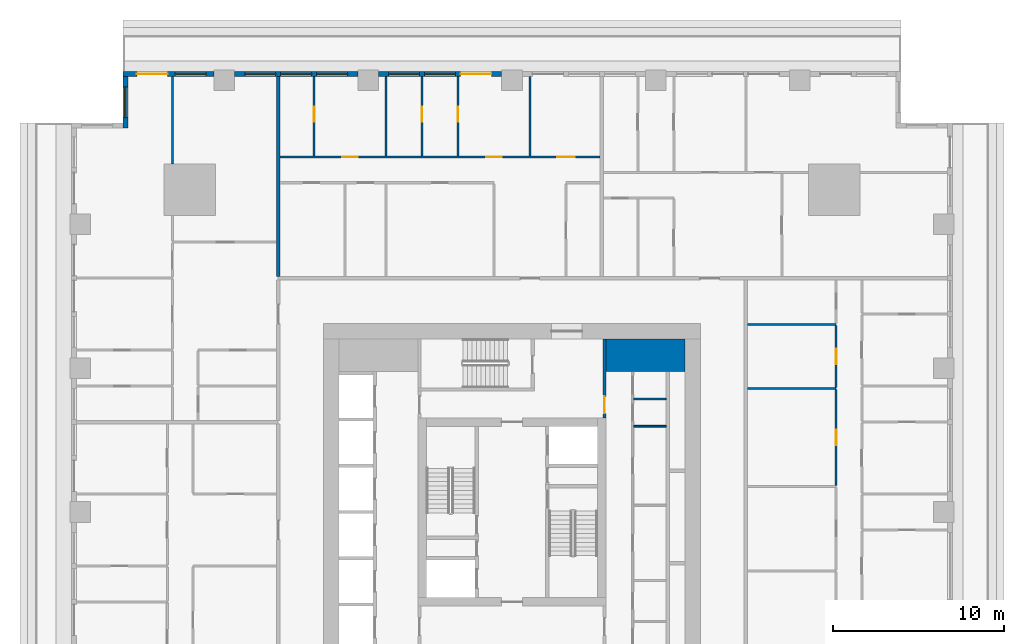
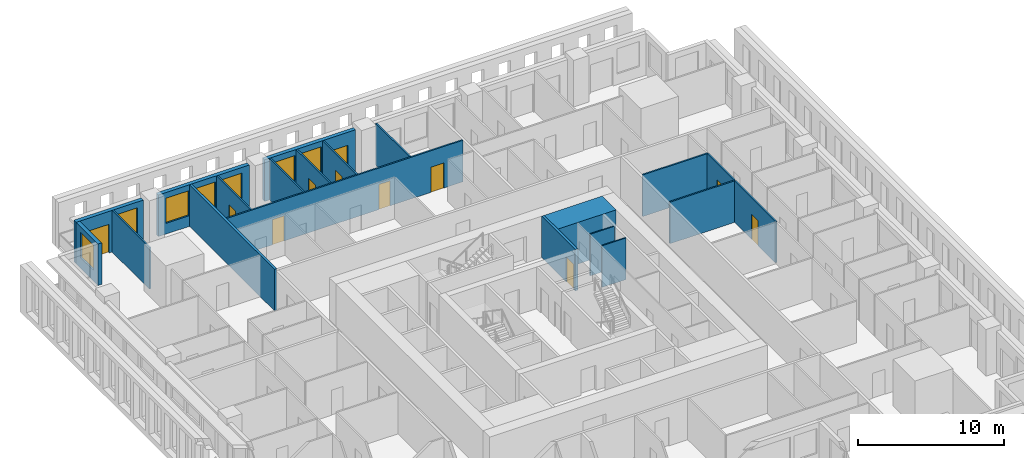
# One storey, part 8 of 15: 20 walls, 11 doors, 7 windows, 18 openings.
"""IFC4 building model written with IfcOpenShell, lengths in metres."""

from ifc_helpers import new_model, si_unit, direction, frame, frame_2d, origin, place, context, subcontext, project, spatial, rectangle, extrude, material, layer, layer_set, type_object, element, fill, save


model = new_model("IFC4")

# Units and contexts
model_context = context("Model", 3, precision=1e-05, world=origin(), true_north=direction((0.0, 1.0)))
body_context = subcontext(model_context, "Body", "Model", "MODEL_VIEW")
ifc_project = project(units=[si_unit("LENGTHUNIT", "METRE"), si_unit("AREAUNIT", "SQUARE_METRE"), si_unit("VOLUMEUNIT", "CUBIC_METRE"), si_unit("PLANEANGLEUNIT", "RADIAN"), si_unit("MASSUNIT", "GRAM", prefix="KILO")], contexts=[model_context])

# Site, building, storey
site_placement = place(None, origin())
site = spatial("IfcSite", under=ifc_project, at=site_placement, CompositionType="ELEMENT")
building_placement = place(site_placement, origin())
building = spatial("IfcBuilding", under=site, at=building_placement, Name="Khepri Terraces", CompositionType="ELEMENT")
storey_placement = place(building_placement, frame((0.0, 0.0, 54.300048828125)))
storey = spatial("IfcBuildingStorey", under=building, at=storey_placement, Name="L12", CompositionType="ELEMENT", Elevation=54.300048828125)

# Walls
ifc_material_1 = material(Name="Concrete C80/95", Category="concrete")
ifc_layer_1 = layer(ifc_material_1, 1.89990234375, Name="Concrete C80/95", Category="concrete")
ifc_layer_set_1 = layer_set([ifc_layer_1], Name="Concrete C80/95")
wall_type_1 = type_object("IfcWallType", Name="Core wall 1900 C80/95", PredefinedType="SHEAR", material=ifc_layer_set_1)
wall_1_placement = place(storey_placement, frame((5.5, 9.14990234375, 0.0), z_axis=(0.0, 0.0, 1.0), x_axis=(1.0, 0.0, 0.0)))
element("IfcWall", 1, at=wall_1_placement, inside=storey, type_object=wall_type_1, Name="Core wall PR04 L12", PredefinedType="SHEAR", context=body_context, shape_type="SweptSolid", body=[
    extrude(rectangle(XDim=4.60009765625, YDim=1.89990234375, at=frame_2d((2.300048828125, 0.0))), origin(), (0.0, 0.0, 1.0), 3.47998046875),
])
ifc_material_2 = material(Name="Fire-rated gypsum board partition")
ifc_layer_2 = layer(ifc_material_2, 0.10009765625, Name="Fire-rated gypsum board partition")
ifc_layer_set_2 = layer_set([ifc_layer_2], Name="Fire-rated gypsum board partition")
wall_type_2 = type_object("IfcWallType", Name="WL-CORE-PART-100", PredefinedType="PARTITIONING", material=ifc_layer_set_2)
for number, where, z_axis, x_axis, name in (
    (2, (7.10009765625, 5.0, 0.0), (0.0, 0.0, 1.0), (1.0, 0.0, 0.0), "Core partition PT07 L12"),
    (3, (7.10009765625, 6.60009765625, 0.0), (0.0, 0.0, 1.0), (1.0, 0.0, 0.0), "Core partition PT10 L12"),
):
    element("IfcWall", number, at=place(storey_placement, frame(where, z_axis=z_axis, x_axis=x_axis)), inside=storey, type_object=wall_type_2, Name=name, PredefinedType="PARTITIONING", context=body_context, shape_type="SweptSolid", body=[
        extrude(rectangle(XDim=1.89990234375, YDim=0.10009765625, at=frame_2d((0.949951171875, 0.0))), origin(), (0.0, 0.0, 1.0), 3.47998046875),
    ])

# Wall, opening, door
ifc_layer_3 = layer(ifc_material_2, 0.199951171875, Name="Fire-rated gypsum board partition")
ifc_layer_set_3 = layer_set([ifc_layer_3], Name="Fire-rated gypsum board partition")
wall_type_3 = type_object("IfcWallType", Name="WL-CORE-PART-200", PredefinedType="PARTITIONING", material=ifc_layer_set_3)
wall_2_placement = place(storey_placement, frame((5.39990234375, 5.5, 0.0), z_axis=(0.0, 0.0, 1.0), x_axis=(0.0, 1.0, 0.0)))
wall_2 = element("IfcWall", 4, at=wall_2_placement, inside=storey, type_object=wall_type_3, Name="Core partition PT09 L12", PredefinedType="PARTITIONING", context=body_context, shape_type="SweptSolid", body=[
    extrude(rectangle(XDim=4.60009765625, YDim=0.199951171875, at=frame_2d((2.300048828125, 0.0))), origin(), (0.0, 0.0, 1.0), 3.47998046875),
])
opening_1_placement = place(wall_2_placement, frame((0.25, 0.0, 0.0)))
opening_1 = element("IfcOpeningElement", 5, at=opening_1_placement, cuts=wall_2, Name="Opening L12-C17", PredefinedType="OPENING", context=body_context, shape_type="SweptSolid", body=[
    extrude(rectangle(XDim=1.0, YDim=2.10009765625, at=frame_2d((0.5, 1.050048828125))), frame((0.0, 0.10986328125, 0.0), z_axis=(0.0, -1.0, 0.0), x_axis=(1.0, 0.0, 0.0)), (0.0, 0.0, 1.0), 0.219970703125),
])
ifc_material_3 = material(Name="Painted steel", Category="steel")
door_type_1 = type_object("IfcDoorType", Name="DR-CORE-LOBBY-1000", OperationType="NOTDEFINED", PredefinedType="DOOR", material=ifc_material_3)
door_1_placement = place(opening_1_placement, origin())
door_1 = element("IfcDoor", 6, at=door_1_placement, inside=storey, type_object=door_type_1, Name="Lobby door L12-C17", OperationType="SINGLE_SWING_LEFT", OverallHeight=2.10009765625, OverallWidth=1.0, PredefinedType="DOOR", context=body_context, shape_type="SweptSolid", body=[
    extrude(rectangle(XDim=1.0, YDim=2.10009765625, at=frame_2d((0.5, 1.050048828125))), frame((0.0, 0.02490234375, 0.0), z_axis=(0.0, -1.0, 0.0), x_axis=(1.0, 0.0, 0.0)), (0.0, 0.0, 1.0), 0.050048828125),
])
fill(opening_1, door_1)

# Wall
ifc_material_4 = material(Name="Fire-rated gypsum plasterboard partition, mineral wool")
ifc_layer_4 = layer(ifc_material_4, 0.199951171875, Name="Fire-rated gypsum plasterboard partition, mineral wool")
ifc_layer_set_4 = layer_set([ifc_layer_4], Name="Fire-rated gypsum plasterboard partition, mineral wool")
wall_type_4 = type_object("IfcWallType", Name="WL-CORR-200", PredefinedType="PARTITIONING", material=ifc_layer_set_4)
wall_3_placement = place(storey_placement, frame((-13.64990234375, 13.75, 0.0), z_axis=(0.0, 0.0, 1.0), x_axis=(0.0, 1.0, 0.0)))
element("IfcWall", 7, at=wall_3_placement, inside=storey, type_object=wall_type_4, Name="Partition P-084 L12", PredefinedType="PARTITIONING", context=body_context, shape_type="SweptSolid", body=[
    extrude(rectangle(XDim=11.669921875, YDim=0.199951171875, at=frame_2d((5.8349609375, 0.0))), origin(), (0.0, 0.0, 1.0), 3.47998046875),
])

# Wall, openings, door, windows
ifc_material_5 = material(Name="Precast concrete C50/60 warm stone", Category="masonry")
ifc_layer_5 = layer(ifc_material_5, 0.300048828125, Name="Precast concrete C50/60 warm stone", Category="masonry")
ifc_layer_set_5 = layer_set([ifc_layer_5], Name="Precast concrete C50/60 warm stone")
wall_type_5 = type_object("IfcWallType", Name="WL-EXT-PRECAST-300", PredefinedType="STANDARD", material=ifc_layer_set_5)
wall_4_placement = place(storey_placement, frame((-0.60009765625, 25.570068359375, 0.0), z_axis=(0.0, 0.0, 1.0), x_axis=(-1.0, 0.0, 0.0)))
wall_4 = element("IfcWall", 8, at=wall_4_placement, inside=storey, type_object=wall_type_5, Name="External wall L12 N", PredefinedType="STANDARD", context=body_context, shape_type="SweptSolid", body=[
    extrude(rectangle(XDim=7.199951171875, YDim=0.300048828125, at=frame_2d((3.60009765625, 0.0))), origin(), (0.0, 0.0, 1.0), 3.47998046875),
])
opening_2_placement = place(wall_4_placement, frame((0.60009765625, 0.0, 0.0)))
opening_2 = element("IfcOpeningElement", 9, at=opening_2_placement, cuts=wall_4, Name="Opening ED-L12-09", PredefinedType="OPENING", context=body_context, shape_type="SweptSolid", body=[
    extrude(rectangle(XDim=1.800048828125, YDim=2.39990234375, at=frame_2d((0.89990234375, 1.199951171875))), frame((0.0, 0.16015625, 0.0), z_axis=(0.0, -1.0, 0.0), x_axis=(1.0, 0.0, 0.0)), (0.0, 0.0, 1.0), 0.320068359375),
])
opening_3_placement = place(wall_4_placement, frame((2.699951171875, 0.0, 0.89990234375)))
opening_3 = element("IfcOpeningElement", 10, at=opening_3_placement, cuts=wall_4, Name="Opening W1", PredefinedType="OPENING", context=body_context, shape_type="SweptSolid", body=[
    extrude(rectangle(XDim=1.800048828125, YDim=2.10009765625, at=frame_2d((0.89990234375, 1.050048828125))), frame((0.0, 0.16015625, 0.0), z_axis=(0.0, -1.0, 0.0), x_axis=(1.0, 0.0, 0.0)), (0.0, 0.0, 1.0), 0.320068359375),
])
opening_4_placement = place(wall_4_placement, frame((4.800048828125, 0.0, 0.89990234375)))
opening_4 = element("IfcOpeningElement", 11, at=opening_4_placement, cuts=wall_4, Name="Opening W1", PredefinedType="OPENING", context=body_context, shape_type="SweptSolid", body=[
    extrude(rectangle(XDim=1.800048828125, YDim=2.10009765625, at=frame_2d((0.89990234375, 1.050048828125))), frame((0.0, 0.16015625, 0.0), z_axis=(0.0, -1.0, 0.0), x_axis=(1.0, 0.0, 0.0)), (0.0, 0.0, 1.0), 0.320068359375),
])
ifc_material_6 = material(Name="Anodised aluminium bronze glazed door", Category="aluminium")
door_type_2 = type_object("IfcDoorType", Name="DR-BAL-SLIDE-1800x2400", OperationType="NOTDEFINED", PredefinedType="DOOR", material=ifc_material_6)
door_2_placement = place(opening_2_placement, origin())
door_2 = element("IfcDoor", 12, at=door_2_placement, inside=storey, type_object=door_type_2, Name="Balcony door L12 N", OperationType="SLIDING_TO_LEFT", OverallHeight=2.39990234375, OverallWidth=1.800048828125, PredefinedType="DOOR", context=body_context, shape_type="SweptSolid", body=[
    extrude(rectangle(XDim=1.800048828125, YDim=2.39990234375, at=frame_2d((0.89990234375, 1.199951171875))), frame((0.0, 0.02490234375, 0.0), z_axis=(0.0, -1.0, 0.0), x_axis=(1.0, 0.0, 0.0)), (0.0, 0.0, 1.0), 0.050048828125),
])
fill(opening_2, door_2)
ifc_material_7 = material(Name="Clear glass", Category="glass")
window_type = type_object("IfcWindowType", Name="WIN-RES-1800x2100", PartitioningType="SINGLE_PANEL", PredefinedType="WINDOW", material=ifc_material_7)
window_1_placement = place(opening_3_placement, origin())
window_1 = element("IfcWindow", 13, at=window_1_placement, inside=storey, type_object=window_type, Name="Window L12 N", OverallHeight=2.10009765625, OverallWidth=1.800048828125, PartitioningType="SINGLE_PANEL", PredefinedType="WINDOW", context=body_context, shape_type="SweptSolid", body=[
    extrude(rectangle(XDim=1.800048828125, YDim=2.10009765625, at=frame_2d((0.89990234375, 1.050048828125))), frame((0.0, 0.030029296875, 0.0), z_axis=(0.0, -1.0, 0.0), x_axis=(1.0, 0.0, 0.0)), (0.0, 0.0, 1.0), 0.06005859375),
])
fill(opening_3, window_1)
window_2_placement = place(opening_4_placement, origin())
window_2 = element("IfcWindow", 14, at=window_2_placement, inside=storey, type_object=window_type, Name="Window L12 N", OverallHeight=2.10009765625, OverallWidth=1.800048828125, PartitioningType="SINGLE_PANEL", PredefinedType="WINDOW", context=body_context, shape_type="SweptSolid", body=[
    extrude(rectangle(XDim=1.800048828125, YDim=2.10009765625, at=frame_2d((0.89990234375, 1.050048828125))), frame((0.0, 0.030029296875, 0.0), z_axis=(0.0, -1.0, 0.0), x_axis=(1.0, 0.0, 0.0)), (0.0, 0.0, 1.0), 0.06005859375),
])
fill(opening_4, window_2)

# Wall, openings, windows
wall_5_placement = place(storey_placement, frame((-9.0, 25.570068359375, 0.0), z_axis=(0.0, 0.0, 1.0), x_axis=(-1.0, 0.0, 0.0)))
wall_5 = element("IfcWall", 15, at=wall_5_placement, inside=storey, type_object=wall_type_5, Name="External wall L12 N", PredefinedType="STANDARD", context=body_context, shape_type="SweptSolid", body=[
    extrude(rectangle(XDim=7.199951171875, YDim=0.300048828125, at=frame_2d((3.60009765625, 0.0))), origin(), (0.0, 0.0, 1.0), 3.47998046875),
])
opening_5_placement = place(wall_5_placement, frame((0.60009765625, 0.0, 0.89990234375)))
opening_5 = element("IfcOpeningElement", 16, at=opening_5_placement, cuts=wall_5, Name="Opening W1", PredefinedType="OPENING", context=body_context, shape_type="SweptSolid", body=[
    extrude(rectangle(XDim=1.800048828125, YDim=2.10009765625, at=frame_2d((0.89990234375, 1.050048828125))), frame((0.0, 0.16015625, 0.0), z_axis=(0.0, -1.0, 0.0), x_axis=(1.0, 0.0, 0.0)), (0.0, 0.0, 1.0), 0.320068359375),
])
opening_6_placement = place(wall_5_placement, frame((2.699951171875, 0.0, 0.89990234375)))
opening_6 = element("IfcOpeningElement", 17, at=opening_6_placement, cuts=wall_5, Name="Opening W1", PredefinedType="OPENING", context=body_context, shape_type="SweptSolid", body=[
    extrude(rectangle(XDim=1.800048828125, YDim=2.10009765625, at=frame_2d((0.89990234375, 1.050048828125))), frame((0.0, 0.16015625, 0.0), z_axis=(0.0, -1.0, 0.0), x_axis=(1.0, 0.0, 0.0)), (0.0, 0.0, 1.0), 0.320068359375),
])
opening_7_placement = place(wall_5_placement, frame((4.800048828125, 0.0, 0.89990234375)))
opening_7 = element("IfcOpeningElement", 18, at=opening_7_placement, cuts=wall_5, Name="Opening W1", PredefinedType="OPENING", context=body_context, shape_type="SweptSolid", body=[
    extrude(rectangle(XDim=1.800048828125, YDim=2.10009765625, at=frame_2d((0.89990234375, 1.050048828125))), frame((0.0, 0.16015625, 0.0), z_axis=(0.0, -1.0, 0.0), x_axis=(1.0, 0.0, 0.0)), (0.0, 0.0, 1.0), 0.320068359375),
])
window_3_placement = place(opening_5_placement, origin())
window_3 = element("IfcWindow", 19, at=window_3_placement, inside=storey, type_object=window_type, Name="Window L12 N", OverallHeight=2.10009765625, OverallWidth=1.800048828125, PartitioningType="SINGLE_PANEL", PredefinedType="WINDOW", context=body_context, shape_type="SweptSolid", body=[
    extrude(rectangle(XDim=1.800048828125, YDim=2.10009765625, at=frame_2d((0.89990234375, 1.050048828125))), frame((0.0, 0.030029296875, 0.0), z_axis=(0.0, -1.0, 0.0), x_axis=(1.0, 0.0, 0.0)), (0.0, 0.0, 1.0), 0.06005859375),
])
fill(opening_5, window_3)
window_4_placement = place(opening_6_placement, origin())
window_4 = element("IfcWindow", 20, at=window_4_placement, inside=storey, type_object=window_type, Name="Window L12 N", OverallHeight=2.10009765625, OverallWidth=1.800048828125, PartitioningType="SINGLE_PANEL", PredefinedType="WINDOW", context=body_context, shape_type="SweptSolid", body=[
    extrude(rectangle(XDim=1.800048828125, YDim=2.10009765625, at=frame_2d((0.89990234375, 1.050048828125))), frame((0.0, 0.030029296875, 0.0), z_axis=(0.0, -1.0, 0.0), x_axis=(1.0, 0.0, 0.0)), (0.0, 0.0, 1.0), 0.06005859375),
])
fill(opening_6, window_4)
window_5_placement = place(opening_7_placement, origin())
window_5 = element("IfcWindow", 21, at=window_5_placement, inside=storey, type_object=window_type, Name="Window L12 N", OverallHeight=2.10009765625, OverallWidth=1.800048828125, PartitioningType="SINGLE_PANEL", PredefinedType="WINDOW", context=body_context, shape_type="SweptSolid", body=[
    extrude(rectangle(XDim=1.800048828125, YDim=2.10009765625, at=frame_2d((0.89990234375, 1.050048828125))), frame((0.0, 0.030029296875, 0.0), z_axis=(0.0, -1.0, 0.0), x_axis=(1.0, 0.0, 0.0)), (0.0, 0.0, 1.0), 0.06005859375),
])
fill(opening_7, window_5)

# Wall, openings, door, window
wall_6_placement = place(storey_placement, frame((-17.39990234375, 25.570068359375, 0.0), z_axis=(0.0, 0.0, 1.0), x_axis=(-1.0, 0.0, 0.0)))
wall_6 = element("IfcWall", 22, at=wall_6_placement, inside=storey, type_object=wall_type_5, Name="External wall L12 N", PredefinedType="STANDARD", context=body_context, shape_type="SweptSolid", body=[
    extrude(rectangle(XDim=5.320068359375, YDim=0.300048828125, at=frame_2d((2.66015625, 0.0))), origin(), (0.0, 0.0, 1.0), 3.47998046875),
])
opening_8_placement = place(wall_6_placement, frame((2.699951171875, 0.0, 0.0)))
opening_8 = element("IfcOpeningElement", 23, at=opening_8_placement, cuts=wall_6, Name="Opening ED-L12-10", PredefinedType="OPENING", context=body_context, shape_type="SweptSolid", body=[
    extrude(rectangle(XDim=1.800048828125, YDim=2.39990234375, at=frame_2d((0.89990234375, 1.199951171875))), frame((0.0, 0.16015625, 0.0), z_axis=(0.0, -1.0, 0.0), x_axis=(1.0, 0.0, 0.0)), (0.0, 0.0, 1.0), 0.320068359375),
])
opening_9_placement = place(wall_6_placement, frame((0.4599609375, 0.0, 0.89990234375)))
opening_9 = element("IfcOpeningElement", 24, at=opening_9_placement, cuts=wall_6, Name="Opening W1", PredefinedType="OPENING", context=body_context, shape_type="SweptSolid", body=[
    extrude(rectangle(XDim=1.800048828125, YDim=2.10009765625, at=frame_2d((0.89990234375, 1.050048828125))), frame((0.0, 0.16015625, 0.0), z_axis=(0.0, -1.0, 0.0), x_axis=(1.0, 0.0, 0.0)), (0.0, 0.0, 1.0), 0.320068359375),
])
door_3_placement = place(opening_8_placement, origin())
door_3 = element("IfcDoor", 25, at=door_3_placement, inside=storey, type_object=door_type_2, Name="Balcony door L12 N", OperationType="SLIDING_TO_LEFT", OverallHeight=2.39990234375, OverallWidth=1.800048828125, PredefinedType="DOOR", context=body_context, shape_type="SweptSolid", body=[
    extrude(rectangle(XDim=1.800048828125, YDim=2.39990234375, at=frame_2d((0.89990234375, 1.199951171875))), frame((0.0, 0.02490234375, 0.0), z_axis=(0.0, -1.0, 0.0), x_axis=(1.0, 0.0, 0.0)), (0.0, 0.0, 1.0), 0.050048828125),
])
fill(opening_8, door_3)
window_6_placement = place(opening_9_placement, origin())
window_6 = element("IfcWindow", 26, at=window_6_placement, inside=storey, type_object=window_type, Name="Window L12 N", OverallHeight=2.10009765625, OverallWidth=1.800048828125, PartitioningType="SINGLE_PANEL", PredefinedType="WINDOW", context=body_context, shape_type="SweptSolid", body=[
    extrude(rectangle(XDim=1.800048828125, YDim=2.10009765625, at=frame_2d((0.89990234375, 1.050048828125))), frame((0.0, 0.030029296875, 0.0), z_axis=(0.0, -1.0, 0.0), x_axis=(1.0, 0.0, 0.0)), (0.0, 0.0, 1.0), 0.06005859375),
])
fill(opening_9, window_6)

# Wall, opening, window
wall_7_placement = place(storey_placement, frame((-22.570068359375, 25.419921875, 0.0), z_axis=(0.0, 0.0, 1.0), x_axis=(0.0, -1.0, 0.0)))
wall_7 = element("IfcWall", 27, at=wall_7_placement, inside=storey, type_object=wall_type_5, Name="External wall L12 W", PredefinedType="STANDARD", context=body_context, shape_type="SweptSolid", body=[
    extrude(rectangle(XDim=3.0, YDim=0.300048828125, at=frame_2d((1.5, 0.0))), origin(), (0.0, 0.0, 1.0), 3.47998046875),
])
opening_10_placement = place(wall_7_placement, frame((0.60009765625, 0.0, 0.89990234375)))
opening_10 = element("IfcOpeningElement", 28, at=opening_10_placement, cuts=wall_7, Name="Opening W1", PredefinedType="OPENING", context=body_context, shape_type="SweptSolid", body=[
    extrude(rectangle(XDim=1.800048828125, YDim=2.10009765625, at=frame_2d((0.89990234375, 1.050048828125))), frame((0.0, 0.16015625, 0.0), z_axis=(0.0, -1.0, 0.0), x_axis=(1.0, 0.0, 0.0)), (0.0, 0.0, 1.0), 0.320068359375),
])
window_7_placement = place(opening_10_placement, origin())
window_7 = element("IfcWindow", 29, at=window_7_placement, inside=storey, type_object=window_type, Name="Window L12 W", OverallHeight=2.10009765625, OverallWidth=1.800048828125, PartitioningType="SINGLE_PANEL", PredefinedType="WINDOW", context=body_context, shape_type="SweptSolid", body=[
    extrude(rectangle(XDim=1.800048828125, YDim=2.10009765625, at=frame_2d((0.89990234375, 1.050048828125))), frame((0.0, 0.030029296875, 0.0), z_axis=(0.0, -1.0, 0.0), x_axis=(1.0, 0.0, 0.0)), (0.0, 0.0, 1.0), 0.06005859375),
])
fill(opening_10, window_7)

# Wall, opening, door
ifc_material_8 = material(Name="Gypsum plasterboard partition")
ifc_layer_6 = layer(ifc_material_8, 0.1201171875, Name="Gypsum plasterboard partition")
ifc_layer_set_6 = layer_set([ifc_layer_6], Name="Gypsum plasterboard partition")
wall_type_6 = type_object("IfcWallType", Name="WL-PART-120", PredefinedType="PARTITIONING", material=ifc_layer_set_6)
wall_8_placement = place(storey_placement, frame((18.919921875, 1.56005859375, 0.0), z_axis=(0.0, 0.0, 1.0), x_axis=(0.0, 1.0, 0.0)))
wall_8 = element("IfcWall", 30, at=wall_8_placement, inside=storey, type_object=wall_type_6, Name="Partition P-059 L12", PredefinedType="PARTITIONING", context=body_context, shape_type="SweptSolid", body=[
    extrude(rectangle(XDim=5.579833984375, YDim=0.1201171875, at=frame_2d((2.7900390625, 0.0))), origin(), (0.0, 0.0, 1.0), 3.47998046875),
])
opening_11_placement = place(wall_8_placement, frame((2.340087890625, 0.0, 0.0)))
opening_11 = element("IfcOpeningElement", 31, at=opening_11_placement, cuts=wall_8, Name="Opening D3", PredefinedType="OPENING", context=body_context, shape_type="SweptSolid", body=[
    extrude(rectangle(XDim=0.89990234375, YDim=2.10009765625, at=frame_2d((0.449951171875, 1.050048828125))), frame((0.0, 0.070068359375, 0.0), z_axis=(0.0, -1.0, 0.0), x_axis=(1.0, 0.0, 0.0)), (0.0, 0.0, 1.0), 0.14013671875),
])
ifc_material_9 = material(Name="Timber door leaf", Category="wood")
door_type_3 = type_object("IfcDoorType", Name="DR-INT-900", OperationType="NOTDEFINED", PredefinedType="DOOR", material=ifc_material_9)
door_4_placement = place(opening_11_placement, origin())
door_4 = element("IfcDoor", 32, at=door_4_placement, inside=storey, type_object=door_type_3, Name="Door Staff Bedroom", OperationType="SINGLE_SWING_LEFT", OverallHeight=2.10009765625, OverallWidth=0.89990234375, PredefinedType="DOOR", context=body_context, shape_type="SweptSolid", body=[
    extrude(rectangle(XDim=0.89990234375, YDim=2.10009765625, at=frame_2d((0.449951171875, 1.050048828125))), frame((0.0, 0.02490234375, 0.0), z_axis=(0.0, -1.0, 0.0), x_axis=(1.0, 0.0, 0.0)), (0.0, 0.0, 1.0), 0.050048828125),
])
fill(opening_11, door_4)

# Wall
wall_9_placement = place(storey_placement, frame((13.75, 7.199951171875, 0.0), z_axis=(0.0, 0.0, 1.0), x_axis=(1.0, 0.0, 0.0)))
element("IfcWall", 33, at=wall_9_placement, inside=storey, type_object=wall_type_6, Name="Partition P-066 L12", PredefinedType="PARTITIONING", context=body_context, shape_type="SweptSolid", body=[
    extrude(rectangle(XDim=5.169921875, YDim=0.1201171875, at=frame_2d((2.5849609375, 0.0))), origin(), (0.0, 0.0, 1.0), 3.47998046875),
])

# Wall, opening, door
wall_10_placement = place(storey_placement, frame((18.919921875, 7.260009765625, 0.0), z_axis=(0.0, 0.0, 1.0), x_axis=(0.0, 1.0, 0.0)))
wall_10 = element("IfcWall", 34, at=wall_10_placement, inside=storey, type_object=wall_type_6, Name="Partition P-067 L12", PredefinedType="PARTITIONING", context=body_context, shape_type="SweptSolid", body=[
    extrude(rectangle(XDim=3.6298828125, YDim=0.1201171875, at=frame_2d((1.81494140625, 0.0))), origin(), (0.0, 0.0, 1.0), 3.47998046875),
])
opening_12_placement = place(wall_10_placement, frame((1.364990234375, 0.0, 0.0)))
opening_12 = element("IfcOpeningElement", 35, at=opening_12_placement, cuts=wall_10, Name="Opening D4", PredefinedType="OPENING", context=body_context, shape_type="SweptSolid", body=[
    extrude(rectangle(XDim=0.89990234375, YDim=2.10009765625, at=frame_2d((0.449951171875, 1.050048828125))), frame((0.0, 0.070068359375, 0.0), z_axis=(0.0, -1.0, 0.0), x_axis=(1.0, 0.0, 0.0)), (0.0, 0.0, 1.0), 0.14013671875),
])
ifc_material_10 = material(Name="Timber door leaf, moisture resistant", Category="wood")
door_type_4 = type_object("IfcDoorType", Name="DR-WET-900", OperationType="NOTDEFINED", PredefinedType="DOOR", material=ifc_material_10)
door_5_placement = place(opening_12_placement, origin())
door_5 = element("IfcDoor", 36, at=door_5_placement, inside=storey, type_object=door_type_4, Name="Door Guest Bathroom", OperationType="SINGLE_SWING_LEFT", OverallHeight=2.10009765625, OverallWidth=0.89990234375, PredefinedType="DOOR", context=body_context, shape_type="SweptSolid", body=[
    extrude(rectangle(XDim=0.89990234375, YDim=2.10009765625, at=frame_2d((0.449951171875, 1.050048828125))), frame((0.0, 0.02490234375, 0.0), z_axis=(0.0, -1.0, 0.0), x_axis=(1.0, 0.0, 0.0)), (0.0, 0.0, 1.0), 0.050048828125),
])
fill(opening_12, door_5)

# Walls
wall_11_placement = place(storey_placement, frame((13.75, 10.949951171875, 0.0), z_axis=(0.0, 0.0, 1.0), x_axis=(1.0, 0.0, 0.0)))
element("IfcWall", 37, at=wall_11_placement, inside=storey, type_object=wall_type_6, Name="Partition P-077 L12", PredefinedType="PARTITIONING", context=body_context, shape_type="SweptSolid", body=[
    extrude(rectangle(XDim=5.169921875, YDim=0.1201171875, at=frame_2d((2.5849609375, 0.0))), origin(), (0.0, 0.0, 1.0), 3.47998046875),
])
wall_12_placement = place(storey_placement, frame((-19.820068359375, 20.300048828125, 0.0), z_axis=(0.0, 0.0, 1.0), x_axis=(0.0, 1.0, 0.0)))
element("IfcWall", 38, at=wall_12_placement, inside=storey, type_object=wall_type_6, Name="Partition P-103 L12", PredefinedType="PARTITIONING", context=body_context, shape_type="SweptSolid", body=[
    extrude(rectangle(XDim=5.119873046875, YDim=0.1201171875, at=frame_2d((2.56005859375, 0.0))), origin(), (0.0, 0.0, 1.0), 3.47998046875),
])

# Wall, openings, doors
wall_13_placement = place(storey_placement, frame((-13.550048828125, 20.719970703125, 0.0), z_axis=(0.0, 0.0, 1.0), x_axis=(1.0, 0.0, 0.0)))
wall_13 = element("IfcWall", 39, at=wall_13_placement, inside=storey, type_object=wall_type_6, Name="Partition P-104 L12", PredefinedType="PARTITIONING", context=body_context, shape_type="SweptSolid", body=[
    extrude(rectangle(XDim=18.699951171875, YDim=0.1201171875, at=frame_2d((9.35009765625, 0.0))), origin(), (0.0, 0.0, 1.0), 3.47998046875),
])
opening_13_placement = place(wall_13_placement, frame((16.199951171875, 0.0, 0.0)))
opening_13 = element("IfcOpeningElement", 40, at=opening_13_placement, cuts=wall_13, Name="Opening D2", PredefinedType="OPENING", context=body_context, shape_type="SweptSolid", body=[
    extrude(rectangle(XDim=1.0, YDim=2.10009765625, at=frame_2d((0.5, 1.050048828125))), frame((0.0, 0.070068359375, 0.0), z_axis=(0.0, -1.0, 0.0), x_axis=(1.0, 0.0, 0.0)), (0.0, 0.0, 1.0), 0.14013671875),
])
opening_14_placement = place(wall_13_placement, frame((12.050048828125, 0.0, 0.0)))
opening_14 = element("IfcOpeningElement", 41, at=opening_14_placement, cuts=wall_13, Name="Opening D3", PredefinedType="OPENING", context=body_context, shape_type="SweptSolid", body=[
    extrude(rectangle(XDim=0.89990234375, YDim=2.10009765625, at=frame_2d((0.449951171875, 1.050048828125))), frame((0.0, 0.070068359375, 0.0), z_axis=(0.0, -1.0, 0.0), x_axis=(1.0, 0.0, 0.0)), (0.0, 0.0, 1.0), 0.14013671875),
])
opening_15_placement = place(wall_13_placement, frame((3.64990234375, 0.0, 0.0)))
opening_15 = element("IfcOpeningElement", 42, at=opening_15_placement, cuts=wall_13, Name="Opening D3", PredefinedType="OPENING", context=body_context, shape_type="SweptSolid", body=[
    extrude(rectangle(XDim=0.89990234375, YDim=2.10009765625, at=frame_2d((0.449951171875, 1.050048828125))), frame((0.0, 0.070068359375, 0.0), z_axis=(0.0, -1.0, 0.0), x_axis=(1.0, 0.0, 0.0)), (0.0, 0.0, 1.0), 0.14013671875),
])
ifc_material_11 = material(Name="Timber door leaf, living room door", Category="wood")
door_type_5 = type_object("IfcDoorType", Name="DR-INT-1000", OperationType="NOTDEFINED", PredefinedType="DOOR", material=ifc_material_11)
door_6_placement = place(opening_13_placement, origin())
door_6 = element("IfcDoor", 43, at=door_6_placement, inside=storey, type_object=door_type_5, Name="Door Living Room", OperationType="SINGLE_SWING_RIGHT", OverallHeight=2.10009765625, OverallWidth=1.0, PredefinedType="DOOR", context=body_context, shape_type="SweptSolid", body=[
    extrude(rectangle(XDim=1.0, YDim=2.10009765625, at=frame_2d((0.5, 1.050048828125))), frame((0.0, 0.02490234375, 0.0), z_axis=(0.0, -1.0, 0.0), x_axis=(1.0, 0.0, 0.0)), (0.0, 0.0, 1.0), 0.050048828125),
])
fill(opening_13, door_6)
door_7_placement = place(opening_14_placement, origin())
door_7 = element("IfcDoor", 44, at=door_7_placement, inside=storey, type_object=door_type_3, Name="Door Master Bedroom", OperationType="SINGLE_SWING_RIGHT", OverallHeight=2.10009765625, OverallWidth=0.89990234375, PredefinedType="DOOR", context=body_context, shape_type="SweptSolid", body=[
    extrude(rectangle(XDim=0.89990234375, YDim=2.10009765625, at=frame_2d((0.449951171875, 1.050048828125))), frame((0.0, 0.02490234375, 0.0), z_axis=(0.0, -1.0, 0.0), x_axis=(1.0, 0.0, 0.0)), (0.0, 0.0, 1.0), 0.050048828125),
])
fill(opening_14, door_7)
door_8_placement = place(opening_15_placement, origin())
door_8 = element("IfcDoor", 45, at=door_8_placement, inside=storey, type_object=door_type_3, Name="Door Bedroom", OperationType="SINGLE_SWING_LEFT", OverallHeight=2.10009765625, OverallWidth=0.89990234375, PredefinedType="DOOR", context=body_context, shape_type="SweptSolid", body=[
    extrude(rectangle(XDim=0.89990234375, YDim=2.10009765625, at=frame_2d((0.449951171875, 1.050048828125))), frame((0.0, 0.02490234375, 0.0), z_axis=(0.0, -1.0, 0.0), x_axis=(1.0, 0.0, 0.0)), (0.0, 0.0, 1.0), 0.050048828125),
])
fill(opening_15, door_8)

# Wall, opening, door
wall_14_placement = place(storey_placement, frame((-11.550048828125, 20.780029296875, 0.0), z_axis=(0.0, 0.0, 1.0), x_axis=(0.0, 1.0, 0.0)))
wall_14 = element("IfcWall", 46, at=wall_14_placement, inside=storey, type_object=wall_type_6, Name="Partition P-105 L12", PredefinedType="PARTITIONING", context=body_context, shape_type="SweptSolid", body=[
    extrude(rectangle(XDim=4.639892578125, YDim=0.1201171875, at=frame_2d((2.31982421875, 0.0))), origin(), (0.0, 0.0, 1.0), 3.47998046875),
])
opening_16_placement = place(wall_14_placement, frame((1.989990234375, 0.0, 0.0)))
opening_16 = element("IfcOpeningElement", 47, at=opening_16_placement, cuts=wall_14, Name="Opening D4", PredefinedType="OPENING", context=body_context, shape_type="SweptSolid", body=[
    extrude(rectangle(XDim=0.89990234375, YDim=2.10009765625, at=frame_2d((0.449951171875, 1.050048828125))), frame((0.0, 0.070068359375, 0.0), z_axis=(0.0, -1.0, 0.0), x_axis=(1.0, 0.0, 0.0)), (0.0, 0.0, 1.0), 0.14013671875),
])
door_9_placement = place(opening_16_placement, origin())
door_9 = element("IfcDoor", 48, at=door_9_placement, inside=storey, type_object=door_type_4, Name="Door Bathroom", OperationType="SINGLE_SWING_RIGHT", OverallHeight=2.10009765625, OverallWidth=0.89990234375, PredefinedType="DOOR", context=body_context, shape_type="SweptSolid", body=[
    extrude(rectangle(XDim=0.89990234375, YDim=2.10009765625, at=frame_2d((0.449951171875, 1.050048828125))), frame((0.0, 0.02490234375, 0.0), z_axis=(0.0, -1.0, 0.0), x_axis=(1.0, 0.0, 0.0)), (0.0, 0.0, 1.0), 0.050048828125),
])
fill(opening_16, door_9)

# Wall
wall_15_placement = place(storey_placement, frame((-7.35009765625, 20.780029296875, 0.0), z_axis=(0.0, 0.0, 1.0), x_axis=(0.0, 1.0, 0.0)))
element("IfcWall", 49, at=wall_15_placement, inside=storey, type_object=wall_type_6, Name="Partition P-106 L12", PredefinedType="PARTITIONING", context=body_context, shape_type="SweptSolid", body=[
    extrude(rectangle(XDim=4.639892578125, YDim=0.1201171875, at=frame_2d((2.31982421875, 0.0))), origin(), (0.0, 0.0, 1.0), 3.47998046875),
])

# Wall, opening, door
wall_16_placement = place(storey_placement, frame((-5.25, 20.780029296875, 0.0), z_axis=(0.0, 0.0, 1.0), x_axis=(0.0, 1.0, 0.0)))
wall_16 = element("IfcWall", 50, at=wall_16_placement, inside=storey, type_object=wall_type_6, Name="Partition P-107 L12", PredefinedType="PARTITIONING", context=body_context, shape_type="SweptSolid", body=[
    extrude(rectangle(XDim=4.639892578125, YDim=0.1201171875, at=frame_2d((2.31982421875, 0.0))), origin(), (0.0, 0.0, 1.0), 3.47998046875),
])
opening_17_placement = place(wall_16_placement, frame((1.989990234375, 0.0, 0.0)))
opening_17 = element("IfcOpeningElement", 51, at=opening_17_placement, cuts=wall_16, Name="Opening D4", PredefinedType="OPENING", context=body_context, shape_type="SweptSolid", body=[
    extrude(rectangle(XDim=0.89990234375, YDim=2.10009765625, at=frame_2d((0.449951171875, 1.050048828125))), frame((0.0, 0.070068359375, 0.0), z_axis=(0.0, -1.0, 0.0), x_axis=(1.0, 0.0, 0.0)), (0.0, 0.0, 1.0), 0.14013671875),
])
door_10_placement = place(opening_17_placement, origin())
door_10 = element("IfcDoor", 52, at=door_10_placement, inside=storey, type_object=door_type_4, Name="Door Bathroom", OperationType="SINGLE_SWING_RIGHT", OverallHeight=2.10009765625, OverallWidth=0.89990234375, PredefinedType="DOOR", context=body_context, shape_type="SweptSolid", body=[
    extrude(rectangle(XDim=0.89990234375, YDim=2.10009765625, at=frame_2d((0.449951171875, 1.050048828125))), frame((0.0, 0.02490234375, 0.0), z_axis=(0.0, -1.0, 0.0), x_axis=(1.0, 0.0, 0.0)), (0.0, 0.0, 1.0), 0.050048828125),
])
fill(opening_17, door_10)

wall_17_placement = place(storey_placement, frame((-3.14990234375, 20.780029296875, 0.0), z_axis=(0.0, 0.0, 1.0), x_axis=(0.0, 1.0, 0.0)))
wall_17 = element("IfcWall", 53, at=wall_17_placement, inside=storey, type_object=wall_type_6, Name="Partition P-108 L12", PredefinedType="PARTITIONING", context=body_context, shape_type="SweptSolid", body=[
    extrude(rectangle(XDim=4.639892578125, YDim=0.1201171875, at=frame_2d((2.31982421875, 0.0))), origin(), (0.0, 0.0, 1.0), 3.47998046875),
])
opening_18_placement = place(wall_17_placement, frame((1.989990234375, 0.0, 0.0)))
opening_18 = element("IfcOpeningElement", 54, at=opening_18_placement, cuts=wall_17, Name="Opening D3", PredefinedType="OPENING", context=body_context, shape_type="SweptSolid", body=[
    extrude(rectangle(XDim=0.89990234375, YDim=2.10009765625, at=frame_2d((0.449951171875, 1.050048828125))), frame((0.0, 0.070068359375, 0.0), z_axis=(0.0, -1.0, 0.0), x_axis=(1.0, 0.0, 0.0)), (0.0, 0.0, 1.0), 0.14013671875),
])
door_11_placement = place(opening_18_placement, origin())
door_11 = element("IfcDoor", 55, at=door_11_placement, inside=storey, type_object=door_type_3, Name="Door Dressing Room", OperationType="SINGLE_SWING_RIGHT", OverallHeight=2.10009765625, OverallWidth=0.89990234375, PredefinedType="DOOR", context=body_context, shape_type="SweptSolid", body=[
    extrude(rectangle(XDim=0.89990234375, YDim=2.10009765625, at=frame_2d((0.449951171875, 1.050048828125))), frame((0.0, 0.02490234375, 0.0), z_axis=(0.0, -1.0, 0.0), x_axis=(1.0, 0.0, 0.0)), (0.0, 0.0, 1.0), 0.050048828125),
])
fill(opening_18, door_11)

# Wall
wall_18_placement = place(storey_placement, frame((1.050048828125, 20.780029296875, 0.0), z_axis=(0.0, 0.0, 1.0), x_axis=(0.0, 1.0, 0.0)))
element("IfcWall", 56, at=wall_18_placement, inside=storey, type_object=wall_type_6, Name="Partition P-109 L12", PredefinedType="PARTITIONING", context=body_context, shape_type="SweptSolid", body=[
    extrude(rectangle(XDim=4.639892578125, YDim=0.1201171875, at=frame_2d((2.31982421875, 0.0))), origin(), (0.0, 0.0, 1.0), 3.47998046875),
])

save(model, "model.ifc")
